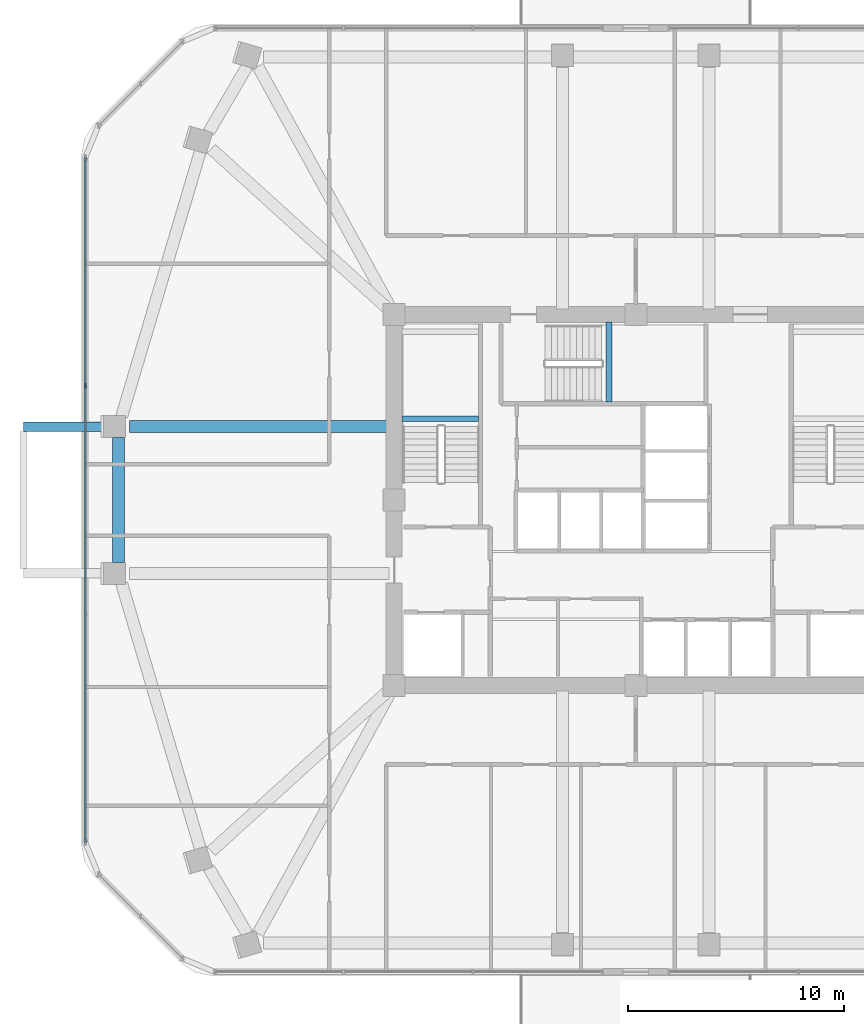
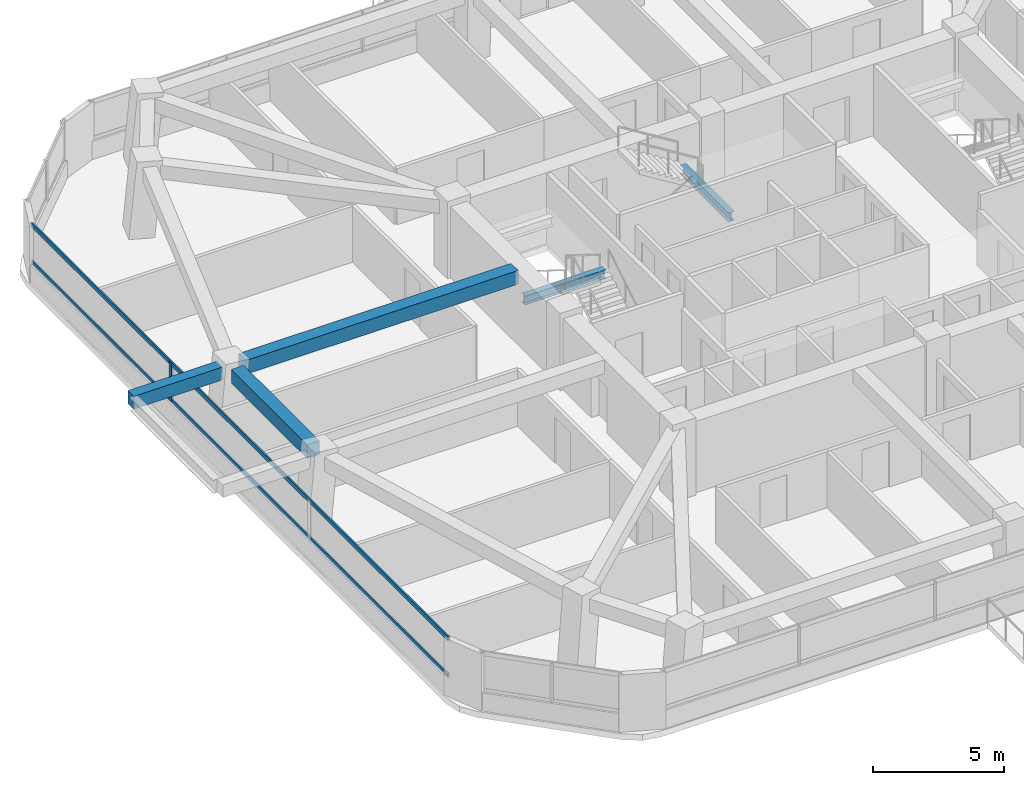
# One storey, part 3 of 13: 5 beams, 3 members, 1 element without a shape of its own.
"""IFC4 building model written with IfcOpenShell, lengths in metres."""

from ifc_helpers import new_model, si_unit, derived_unit, direction, frame, origin, origin_2d, place, context, subcontext, project, spatial, rectangle, i_section, extrude, material, material_profile, profile_set, type_object, element, aggregate, save


model = new_model("IFC4")

# Units and contexts
model_context = context("Model", 3, precision=1e-05, world=origin(), true_north=direction((0.0, 1.0)))
body_context = subcontext(model_context, "Body", "Model", "MODEL_VIEW")
ifc_project = project(units=[si_unit("LENGTHUNIT", "METRE"), si_unit("AREAUNIT", "SQUARE_METRE"), si_unit("VOLUMEUNIT", "CUBIC_METRE"), si_unit("PLANEANGLEUNIT", "RADIAN"), si_unit("MASSUNIT", "GRAM", prefix="KILO"), derived_unit("THERMALTRANSMITTANCEUNIT", [(si_unit("POWERUNIT", "WATT"), 1), (si_unit("LENGTHUNIT", "METRE"), -2), (si_unit("THERMODYNAMICTEMPERATUREUNIT", "KELVIN"), -1)])], contexts=[model_context])

# Site, building, storey
site_placement = place(None, origin())
site = spatial("IfcSite", under=ifc_project, at=site_placement, CompositionType="ELEMENT")
building_placement = place(site_placement, origin())
building = spatial("IfcBuilding", under=site, at=building_placement, Name="Koralith Skygarden Medical Center", CompositionType="ELEMENT")
storey_placement = place(building_placement, frame((0.0, 0.0, 102.780029296875)))
storey = spatial("IfcBuildingStorey", under=building, at=storey_placement, Name="L26", CompositionType="ELEMENT", Elevation=102.780029296875)

# Curtain wall, members
ifc_material_1 = material(Name="Clear Laminated Glass", Category="glass")
curtain_wall_type = type_object("IfcCurtainWallType", Name="CW-3 Zone 2 Faceted Solar Curtain Wall", PredefinedType="NOTDEFINED", material=ifc_material_1)
curtain_wall_placement = place(storey_placement, origin())
curtain_wall = element("IfcCurtainWall", 1, at=curtain_wall_placement, inside=storey, type_object=curtain_wall_type, Name="Curtain Wall CW-L26-W", PredefinedType="NOTDEFINED")
ifc_material_2 = material(Name="Aluminium 6063-T6", Category="aluminium")
ifc_material_profile_1 = material_profile(ifc_material_2, rectangle(XDim=0.073974609375, YDim=0.219970703125, at=origin_2d()), Name="MUL74X220")
ifc_profile_set_1 = profile_set([ifc_material_profile_1], Name="Aluminium 6063-T6")
member_type_1 = type_object("IfcMemberType", Name="CW-3 Extruded Mullion 74x220", PredefinedType="MULLION", material=ifc_profile_set_1)
member_1_placement = place(storey_placement, frame((11.489013671875, 31.197021484375, 0.849853515625), z_axis=(0.0, 0.0, 1.0), x_axis=(1.0, 0.0, 0.0)))
member_1 = element("IfcMember", 2, at=member_1_placement, type_object=member_type_1, Name="CW-L26-W Mullion 2", PredefinedType="MULLION", context=body_context, shape_type="SweptSolid", body=[
    extrude(rectangle(XDim=0.073974609375, YDim=0.219970703125, at=origin_2d()), origin(), (0.0, 0.0, 1.0), 1.820068359375),
])
ifc_material_profile_2 = material_profile(ifc_material_2, rectangle(XDim=0.069091796875, YDim=0.197998046875, at=origin_2d()), Name="TRN69X198")
ifc_profile_set_2 = profile_set([ifc_material_profile_2], Name="Aluminium 6063-T6")
member_type_2 = type_object("IfcMemberType", Name="CW-3 Thermal Transom 69x198", PredefinedType="USERDEFINED", material=ifc_profile_set_2)
member_2_placement = place(storey_placement, frame((11.489013671875, 41.791015625, 0.89990234375), z_axis=(0.0, -1.0, 0.0), x_axis=(1.0, 0.0, 0.0)))
member_2 = element("IfcMember", 3, at=member_2_placement, type_object=member_type_2, Name="CW-L26-W Transom 1", ObjectType="TRANSOM", PredefinedType="USERDEFINED", context=body_context, shape_type="SweptSolid", body=[
    extrude(rectangle(XDim=0.069091796875, YDim=0.197998046875, at=origin_2d()), origin(), (0.0, 0.0, 1.0), 31.781982421875),
])
member_3_placement = place(storey_placement, frame((11.489013671875, 41.791015625, 2.619873046875), z_axis=(0.0, -1.0, 0.0), x_axis=(1.0, 0.0, 0.0)))
member_3 = element("IfcMember", 4, at=member_3_placement, type_object=member_type_2, Name="CW-L26-W Transom 2", ObjectType="TRANSOM", PredefinedType="USERDEFINED", context=body_context, shape_type="SweptSolid", body=[
    extrude(rectangle(XDim=0.069091796875, YDim=0.197998046875, at=origin_2d()), origin(), (0.0, 0.0, 1.0), 31.781982421875),
])
aggregate(curtain_wall, [member_1, member_2, member_3])

# Beams
ifc_material_3 = material(Name="Steel ASTM A992 Grade 50", Category="steel")
ifc_material_profile_3 = material_profile(ifc_material_3, i_section(OverallWidth=0.260009765625, OverallDepth=0.4150390625, WebThickness=0.010009765625, FlangeThickness=0.016845703125, at=origin_2d()), Name="W16X67")
ifc_profile_set_3 = profile_set([ifc_material_profile_3], Name="Steel ASTM A992 Grade 50")
beam_type_1 = type_object("IfcBeamType", Name="Clinical Floor Joist W16X67", PredefinedType="JOIST", material=ifc_profile_set_3)
beam_1_placement = place(storey_placement, frame((26.155029296875, 29.659912109375, 1.39208984375), z_axis=(1.0, 0.0, 0.0), x_axis=(0.0, 1.0, 0.0)))
element("IfcBeam", 5, at=beam_1_placement, inside=storey, type_object=beam_type_1, Name="L26 Stair ST1 Half-Landing Support Beam 1A", PredefinedType="JOIST", context=body_context, shape_type="SweptSolid", body=[
    extrude(i_section(OverallWidth=0.260009765625, OverallDepth=0.4150390625, WebThickness=0.010009765625, FlangeThickness=0.016845703125, at=origin_2d()), origin(), (0.0, 0.0, 1.0), 3.56494140625),
])
beam_2_placement = place(storey_placement, frame((35.760009765625, 30.43994140625, 1.39208984375), z_axis=(0.0, 1.0, 0.0), x_axis=(-1.0, 0.0, 0.0)))
element("IfcBeam", 6, at=beam_2_placement, inside=storey, type_object=beam_type_1, Name="L26 Stair ST3 Half-Landing Support Beam 1A", PredefinedType="JOIST", context=body_context, shape_type="SweptSolid", body=[
    extrude(i_section(OverallWidth=0.260009765625, OverallDepth=0.4150390625, WebThickness=0.010009765625, FlangeThickness=0.016845703125, at=origin_2d()), origin(), (0.0, 0.0, 1.0), 3.705078125),
])
ifc_material_4 = material(Name="Concrete C45/55", Category="concrete")
ifc_material_profile_4 = material_profile(ifc_material_4, rectangle(XDim=0.449951171875, YDim=0.60009765625, at=origin_2d()), Name="RCB450X600")
ifc_profile_set_4 = profile_set([ifc_material_profile_4], Name="Concrete C45/55")
beam_type_2 = type_object("IfcBeamType", Name="Planted Balcony Cantilever Beam RCB450X600", PredefinedType="BEAM", material=ifc_profile_set_4)
beam_3_placement = place(storey_placement, frame((12.5419921875, 29.300048828125, 3.0400390625), z_axis=(-1.0, 0.0, 0.0), x_axis=(0.0, -1.0, 0.0)))
element("IfcBeam", 7, at=beam_3_placement, inside=storey, type_object=beam_type_2, Name="L27 W Balcony Cantilever Beam B", PredefinedType="BEAM", context=body_context, shape_type="SweptSolid", body=[
    extrude(rectangle(XDim=0.449951171875, YDim=0.60009765625, at=origin_2d()), origin(), (0.0, 0.0, 1.0), 3.919921875),
])
ifc_material_profile_5 = material_profile(ifc_material_4, rectangle(XDim=0.550048828125, YDim=0.639892578125, at=origin_2d()), Name="RCB550X640")
ifc_profile_set_5 = profile_set([ifc_material_profile_5], Name="Concrete C45/55")
beam_type_3 = type_object("IfcBeamType", Name="Radial Collector Beam RCB550X640", PredefinedType="BEAM", material=ifc_profile_set_5)
beam_4_placement = place(storey_placement, frame((25.550048828125, 29.300048828125, 3.0), z_axis=(-1.0, 0.0, 0.0), x_axis=(0.0, -1.0, 0.0)))
element("IfcBeam", 8, at=beam_4_placement, inside=storey, type_object=beam_type_3, Name="L26 Radial Collector Beam RB-16", PredefinedType="BEAM", context=body_context, shape_type="SweptSolid", body=[
    extrude(rectangle(XDim=0.550048828125, YDim=0.639892578125, at=origin_2d()), origin(), (0.0, 0.0, 1.0), 12.01806640625),
])
ifc_material_profile_6 = material_profile(ifc_material_4, rectangle(XDim=0.550048828125, YDim=0.639892578125, at=origin_2d()), Name="RCB550X640")
ifc_profile_set_6 = profile_set([ifc_material_profile_6], Name="Concrete C45/55")
beam_type_4 = type_object("IfcBeamType", Name="Zone 2-3 Spandrel Beam RCB550X640", PredefinedType="SPANDREL", material=ifc_profile_set_6)
beam_5_placement = place(storey_placement, frame((13.031982421875, 28.800048828125, 3.0), z_axis=(0.0, -1.0, 0.0), x_axis=(1.0, 0.0, 0.0)))
element("IfcBeam", 9, at=beam_5_placement, inside=storey, type_object=beam_type_4, Name="L26 Perimeter Spandrel Beam SP-16", PredefinedType="SPANDREL", context=body_context, shape_type="SweptSolid", body=[
    extrude(rectangle(XDim=0.550048828125, YDim=0.639892578125, at=origin_2d()), origin(), (0.0, 0.0, 1.0), 5.800048828125),
])

save(model, "model.ifc")
